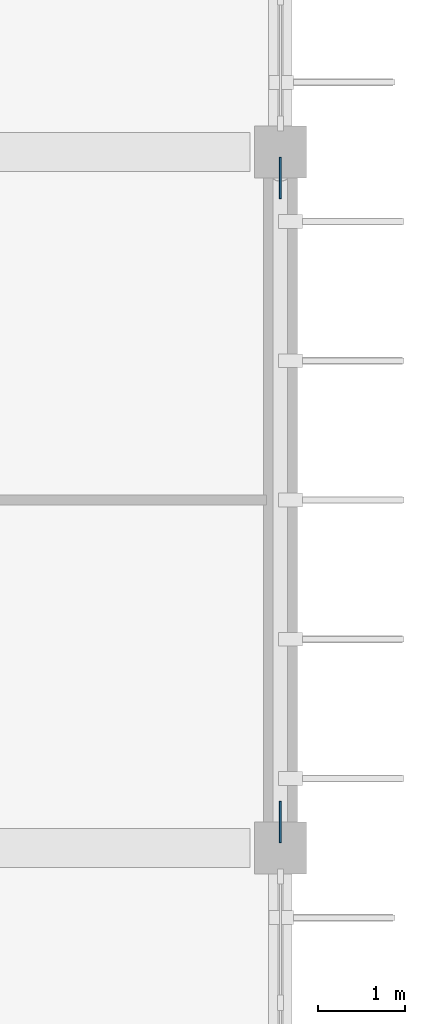
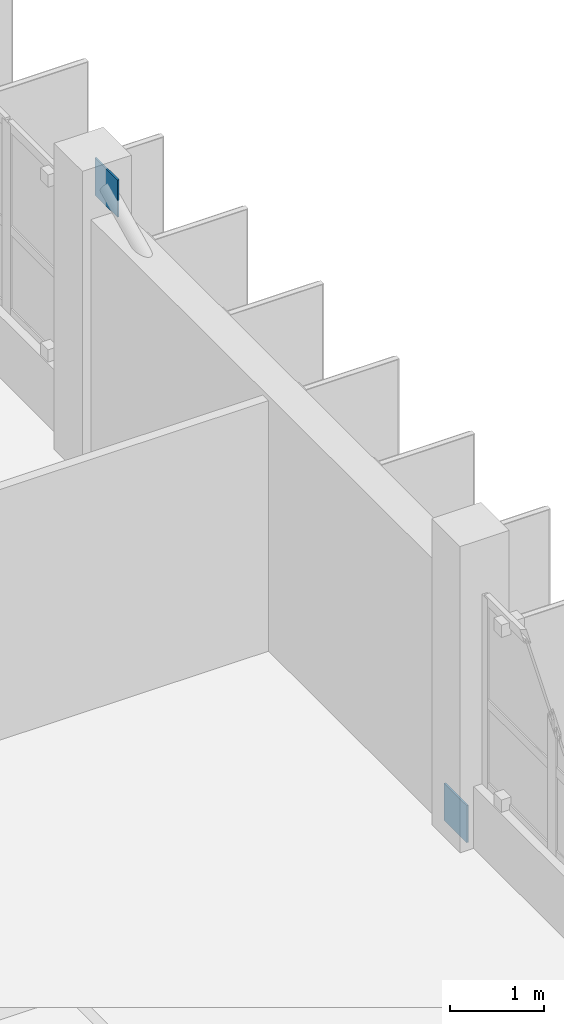
# One storey, part 46 of 66: 2 plates.
"""IFC4 building model written with IfcOpenShell, lengths in metres."""

from ifc_helpers import new_model, si_unit, direction, frame, origin, origin_2d, place, context, subcontext, project, spatial, rectangle, extrude, material, layer, layer_set, type_object, element, save


model = new_model("IFC4")

# Units and contexts
model_context = context("Model", 3, precision=1e-05, world=origin(), true_north=direction((0.0, 1.0)))
body_context = subcontext(model_context, "Body", "Model", "MODEL_VIEW")
ifc_project = project(units=[si_unit("LENGTHUNIT", "METRE"), si_unit("AREAUNIT", "SQUARE_METRE"), si_unit("VOLUMEUNIT", "CUBIC_METRE"), si_unit("PLANEANGLEUNIT", "RADIAN"), si_unit("MASSUNIT", "GRAM", prefix="KILO")], contexts=[model_context])

# Site, building, storey
site_placement = place(None, origin())
site = spatial("IfcSite", under=ifc_project, at=site_placement, CompositionType="ELEMENT")
building_placement = place(site_placement, origin())
building = spatial("IfcBuilding", under=site, at=building_placement, Name="Drelvana Railside Aquatics Centre", CompositionType="ELEMENT")
storey_placement = place(building_placement, frame((0.0, 0.0, 10.199951171875)))
storey = spatial("IfcBuildingStorey", under=building, at=storey_placement, Name="L02", CompositionType="ELEMENT", Elevation=10.199951171875)

# Plates
ifc_material = material(Name="Structural steel S355", Category="steel")
ifc_layer = layer(ifc_material, 0.02197265625, Name="Structural steel S355")
ifc_layer_set = layer_set([ifc_layer], Name="Structural steel S355")
plate_type = type_object("IfcPlateType", Name="STR-PLT-PL-04", PredefinedType="SHEET", material=ifc_layer_set)
for number, where, z_axis, x_axis, name in (
    (1, (184.0, 48.300048828125, -0.18994140625), (0.0, 0.0, 1.0), (1.0, 0.0, 0.0), "Brace gusset end plate PL-04 (L02)"),
    (2, (184.0, 55.699951171875, 3.41015625), (0.0, 0.0, 1.0), (1.0, 0.0, 0.0), "Brace gusset end plate PL-04 (L02)"),
):
    element("IfcPlate", number, at=place(storey_placement, frame(where, z_axis=z_axis, x_axis=x_axis)), inside=storey, type_object=plate_type, Name=name, PredefinedType="SHEET", context=body_context, shape_type="SweptSolid", body=[
        extrude(rectangle(XDim=0.02197265625, YDim=0.47998046875, at=origin_2d()), origin(), (0.0, 0.0, 1.0), 0.47998046875),
    ])

save(model, "model.ifc")
